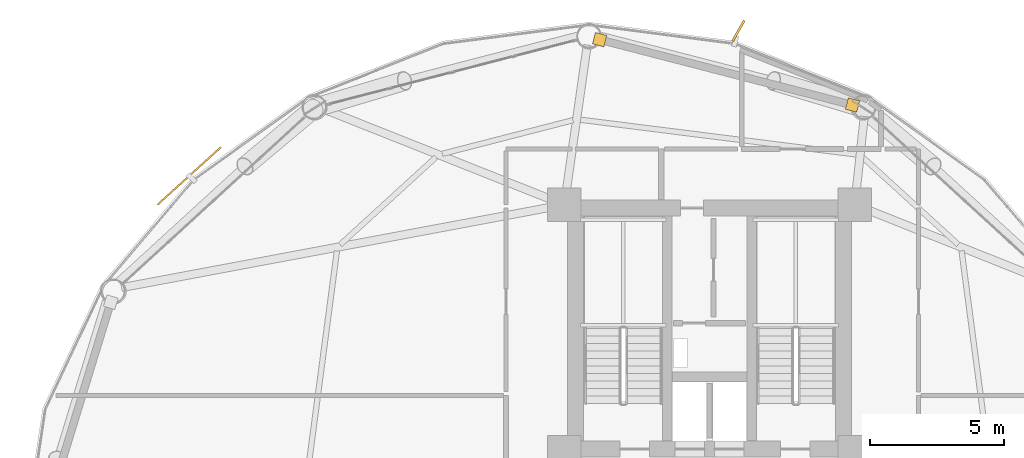
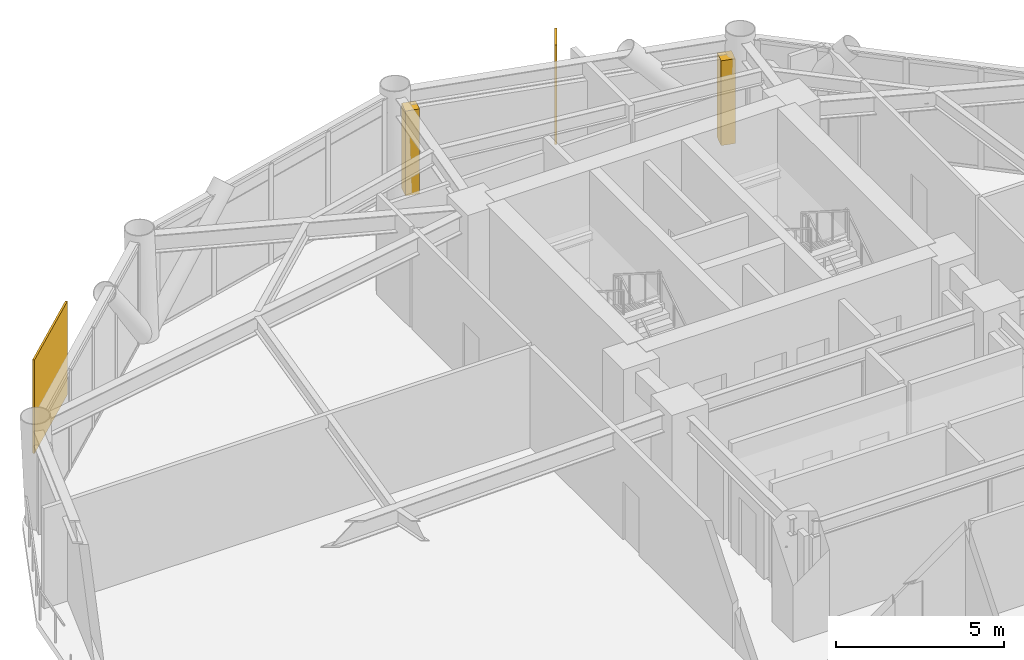
# One storey, part 25 of 25: 2 coverings, 2 shading devices.
"""IFC4 building model written with IfcOpenShell, lengths in metres."""

import ifcopenshell
import ifcopenshell.guid

model = None  # the IFC model being written
_history = None  # IfcOwnerHistory: only IFC2X3 demands one
_inside = {}  # id of a spatial element -> (the spatial element, [elements in it])
_under = {}  # id of a project, library or spatial element -> (it, [spatial elements below it])
_declared = {}  # id of a project -> (the project, [libraries it declares])
_typed = {}  # id of a type object -> (the type object, [elements of that type])
_made_of = {}  # id of a material, layer set ... -> (it, [elements and type objects made of it])


def new_model(schema):
    """Start an empty IFC model of exactly this schema.

    Asked for "IFC4X3", IfcOpenShell would pick the latest addendum, in which some entities
    have other attributes; the version numbers below select the first issue.
    IFC2X3 requires an IfcOwnerHistory on every rooted entity: one is made here for all.
    """
    global model, _history
    if schema == "IFC4X3":
        model = ifcopenshell.file(schema_version=(4, 3, 0, 0))
    else:
        model = ifcopenshell.file(schema=schema)
    _inside.clear()
    _under.clear()
    _declared.clear()
    _typed.clear()
    _made_of.clear()
    _history = None
    if model.schema == "IFC2X3":
        org = make("IfcOrganization", Name="unknown")
        user = make(
            "IfcPersonAndOrganization",
            ThePerson=make("IfcPerson", FamilyName="unknown"),
            TheOrganization=org,
        )
        app = make(
            "IfcApplication",
            ApplicationDeveloper=org,
            Version="unknown",
            ApplicationFullName="unknown",
            ApplicationIdentifier="unknown",
        )
        _history = make(
            "IfcOwnerHistory",
            OwningUser=user,
            OwningApplication=app,
            ChangeAction="ADDED",
            CreationDate=0,
        )
    return model


def make(cls, **values):
    """One entity of the class cls with the attributes given. An attribute that is None is left unset."""
    return model.create_entity(
        cls, **{name: value for name, value in values.items() if value is not None}
    )


def rooted(cls, **values):
    """An entity with a GlobalId (a new one), such as an element, a storey or a relation."""
    return make(cls, GlobalId=ifcopenshell.guid.new(), OwnerHistory=_history, **values)


def si_unit(unit_type, name, prefix=None):
    """IfcSIUnit, for example si_unit("LENGTHUNIT", "METRE", prefix="MILLI")."""
    return make("IfcSIUnit", UnitType=unit_type, Prefix=prefix, Name=name)


def assignment(units):
    """IfcUnitAssignment: the units of a project."""
    return None if units is None else make("IfcUnitAssignment", Units=units)


def point(xyz):
    """IfcCartesianPoint."""
    return None if xyz is None else make("IfcCartesianPoint", Coordinates=xyz)


def direction(xyz):
    """IfcDirection."""
    return None if xyz is None else make("IfcDirection", DirectionRatios=xyz)


def frame(location, z_axis=None, x_axis=None):
    """IfcAxis2Placement3D, a coordinate frame: its origin and axes. An axis left out is left unset."""
    return make(
        "IfcAxis2Placement3D",
        Location=point(location),
        Axis=direction(z_axis),
        RefDirection=direction(x_axis),
    )


def frame_2d(location, x_axis=None):
    """IfcAxis2Placement2D, a coordinate frame in the plane: its origin and x axis."""
    return make(
        "IfcAxis2Placement2D", Location=point(location), RefDirection=direction(x_axis)
    )


def origin():
    """The frame at (0, 0, 0) with its axes left unset."""
    return frame((0.0, 0.0, 0.0))


def origin_2d():
    """The frame at (0, 0) in the plane with its x axis left unset."""
    return frame_2d((0.0, 0.0))


def place(relative_to, where):
    """IfcLocalPlacement: puts the frame where relative to a parent placement (None: the world)."""
    return make(
        "IfcLocalPlacement", PlacementRelTo=relative_to, RelativePlacement=where
    )


def context(
    kind, dimensions, precision=None, world=None, true_north=None, identifier=None
):
    """IfcGeometricRepresentationContext, for example the 3D "Model" context."""
    return make(
        "IfcGeometricRepresentationContext",
        ContextIdentifier=identifier,
        ContextType=kind,
        CoordinateSpaceDimension=dimensions,
        Precision=precision,
        WorldCoordinateSystem=world,
        TrueNorth=true_north,
    )


def subcontext(parent, identifier, kind, view, scale=None):
    """IfcGeometricRepresentationSubContext, for example "Body" below "Model"."""
    return make(
        "IfcGeometricRepresentationSubContext",
        ContextIdentifier=identifier,
        ContextType=kind,
        ParentContext=parent,
        TargetScale=scale,
        TargetView=view,
    )


def project(units=None, contexts=None):
    """IfcProject with its units and contexts."""
    return rooted(
        "IfcProject",
        Name="project",
        RepresentationContexts=contexts,
        UnitsInContext=assignment(units),
    )


def spatial(cls, under=None, at=None, **own):
    """A site, building, storey or space (cls), placed at a placement, below another one or the project."""
    s = rooted(cls, ObjectPlacement=at, **own)
    if under is not None:
        _under.setdefault(under.id(), (under, []))[1].append(s)
    return s


def profile(cls, at=None, kind="AREA", **sizes):
    """A parametric profile (cls). Its sizes go by their IFC names, for example OverallWidth=200.0."""
    return make(cls, ProfileType=kind, Position=at, **sizes)


def rectangle(**sizes):
    """IfcRectangleProfileDef."""
    return profile("IfcRectangleProfileDef", **sizes)


def extrude(swept, where, along, depth):
    """IfcExtrudedAreaSolid: the profile swept, set in the frame where, extruded along a direction by depth."""
    return make(
        "IfcExtrudedAreaSolid",
        SweptArea=swept,
        Position=where,
        ExtrudedDirection=direction(along),
        Depth=depth,
    )


def shape(context_of_items, identifier, shape_type, items):
    """IfcShapeRepresentation: the items that make up one representation, for example the "Body"."""
    return make(
        "IfcShapeRepresentation",
        ContextOfItems=context_of_items,
        RepresentationIdentifier=identifier,
        RepresentationType=shape_type,
        Items=items,
    )


def source(mapping_origin, context_of_items, identifier, shape_type, items):
    """IfcRepresentationMap: a shape defined once, which mapped items show again and again."""
    return make(
        "IfcRepresentationMap",
        MappingOrigin=mapping_origin,
        MappedRepresentation=shape(context_of_items, identifier, shape_type, items),
    )


def transform(
    local_origin,
    x_axis=None,
    y_axis=None,
    z_axis=None,
    scale=None,
    scale2=None,
    scale3=None,
    uniform=True,
):
    """IfcCartesianTransformationOperator3D, or its non-uniform kind. x_axis, y_axis, z_axis: its Axis1, 2, 3."""
    if uniform:
        return make(
            "IfcCartesianTransformationOperator3D",
            Axis1=direction(x_axis),
            Axis2=direction(y_axis),
            LocalOrigin=point(local_origin),
            Scale=scale,
            Axis3=direction(z_axis),
        )
    return make(
        "IfcCartesianTransformationOperator3DnonUniform",
        Axis1=direction(x_axis),
        Axis2=direction(y_axis),
        LocalOrigin=point(local_origin),
        Scale=scale,
        Axis3=direction(z_axis),
        Scale2=scale2,
        Scale3=scale3,
    )


def mapped(mapping_source, mapping_target):
    """IfcMappedItem: shows the shape of a source again, moved by a transform."""
    return make(
        "IfcMappedItem", MappingSource=mapping_source, MappingTarget=mapping_target
    )


def material(Name=None, Category=None):
    """IfcMaterial."""
    return make("IfcMaterial", Name=Name, Category=Category)


def layer(
    of_material, thickness, ventilated=None, Name=None, Category=None, Priority=None
):
    """IfcMaterialLayer: one layer of a wall or slab, of a material (None: an air gap)."""
    return make(
        "IfcMaterialLayer",
        Material=of_material,
        LayerThickness=thickness,
        IsVentilated=ventilated,
        Name=Name,
        Category=Category,
        Priority=Priority,
    )


def layer_set(layers, Name=None):
    """IfcMaterialLayerSet."""
    return make("IfcMaterialLayerSet", MaterialLayers=layers, LayerSetName=Name)


def made_of(thing, what):
    """Note that an element or type object is made of a material, layer set ...; save() writes the relation."""
    if what is not None:
        _made_of.setdefault(what.id(), (what, []))[1].append(thing)
    return thing


def type_object(cls, material=None, **own):
    """A type object (cls), such as IfcWallType, which elements share."""
    return made_of(rooted(cls, **own), material)


def type_shapes(of_type, sources):
    """Give a type object the sources (RepresentationMaps) that its elements show as mapped items."""
    of_type.RepresentationMaps = sources


def element(
    cls,
    number,
    at=None,
    inside=None,
    cuts=None,
    type_object=None,
    material=None,
    context=None,
    identifier="Body",
    shape_type=None,
    held_by="IfcProductDefinitionShape",
    body=None,
    shapes=None,
    **own,
):
    """One element of the class cls, such as IfcWall. Its Tag is "e" and its number.

    at: its placement. inside: the storey or other place that contains it. cuts: it is an
    opening in that element (IfcRelVoidsElement). A single representation is given by context,
    identifier, shape_type and body (its items); several are given by shapes. held_by: the class
    of the entity that holds the representations. save() writes the other relations.
    """
    e = rooted(cls, Tag="e%d" % number, ObjectPlacement=at, **own)
    if body is not None:
        shapes = [shape(context, identifier, shape_type, body)]
    if shapes is not None:
        e.Representation = make(held_by, Representations=shapes)
    if inside is not None:
        _inside.setdefault(inside.id(), (inside, []))[1].append(e)
    if cuts is not None:
        rooted(
            "IfcRelVoidsElement", RelatingBuildingElement=cuts, RelatedOpeningElement=e
        )
    if type_object is not None:
        _typed.setdefault(type_object.id(), (type_object, []))[1].append(e)
    return made_of(e, material)


def aggregate(whole, parts):
    """IfcRelAggregates: a whole, such as a stair, and the parts it consists of."""
    return rooted("IfcRelAggregates", RelatingObject=whole, RelatedObjects=parts)


def save(model, path):
    """Write the relations noted so far, then the file.

    IfcRelAggregates (storeys below a building ...), IfcRelContainedInSpatialStructure (elements
    in a storey), IfcRelDefinesByType, IfcRelAssociatesMaterial and IfcRelDeclares: one each for
    every whole, place, type object, material and project.
    """
    for whole, parts in _under.values():
        aggregate(whole, parts)
    for where, things in _inside.values():
        rooted(
            "IfcRelContainedInSpatialStructure",
            RelatedElements=things,
            RelatingStructure=where,
        )
    for kind, things in _typed.values():
        rooted("IfcRelDefinesByType", RelatedObjects=things, RelatingType=kind)
    for what, things in _made_of.values():
        rooted("IfcRelAssociatesMaterial", RelatedObjects=things, RelatingMaterial=what)
    for by, libraries in _declared.values():
        rooted("IfcRelDeclares", RelatingContext=by, RelatedDefinitions=libraries)
    model.write(path)


model = new_model("IFC4")

# Units and contexts
model_context = context("Model", 3, precision=1e-05, world=origin(), true_north=direction((0.0, 1.0)))
body_context = subcontext(model_context, "Body", "Model", "MODEL_VIEW")
ifc_project = project(units=[si_unit("LENGTHUNIT", "METRE"), si_unit("AREAUNIT", "SQUARE_METRE"), si_unit("VOLUMEUNIT", "CUBIC_METRE"), si_unit("PLANEANGLEUNIT", "RADIAN"), si_unit("MASSUNIT", "GRAM", prefix="KILO")], contexts=[model_context])

# Site, building, storey
site_placement = place(None, origin())
site = spatial("IfcSite", under=ifc_project, at=site_placement, CompositionType="ELEMENT")
building_placement = place(site_placement, origin())
building = spatial("IfcBuilding", under=site, at=building_placement, Name="Varnakorn Sky Granary", CompositionType="ELEMENT")
storey_placement = place(building_placement, frame((0.0, 0.0, 39.300048828125)))
storey = spatial("IfcBuildingStorey", under=building, at=storey_placement, Name="L09", CompositionType="ELEMENT", Elevation=39.300048828125)

# Shading device
ifc_material = material(Name="Anodised Bronze Aluminium Alloy 6063-T6", Category="aluminium")
shading_device_type_1 = type_object("IfcShadingDeviceType", Name="SH-FIN-01", PredefinedType="USERDEFINED", material=ifc_material)
shared_shape_1 = source(origin(), body_context, "Body", "SweptSolid", [
    extrude(rectangle(XDim=0.0849609375, YDim=0.8798828125, at=origin_2d()), origin(), (0.0, 0.0, 1.0), 3.60009765625),
])
type_shapes(shading_device_type_1, [shared_shape_1])
shading_device_1_placement = place(storey_placement, frame((4.07861328125, 19.110595703125, -0.0400390625), z_axis=(0.0, 0.0, 1.0), x_axis=(-0.868108490976, 0.496374503673, 0.0)))
element("IfcShadingDevice", 1, at=shading_device_1_placement, inside=storey, type_object=shading_device_type_1, Name="Bronze Solar-Tracking Vertical Blade FIN L09-03", ObjectType="FIN", PredefinedType="USERDEFINED", context=body_context, shape_type="MappedRepresentation", body=[
    mapped(shared_shape_1, transform((0.0, 0.0, 0.0), x_axis=(1.0, 0.0, 0.0), y_axis=(0.0, 1.0, 0.0), z_axis=(0.0, 0.0, 1.0), scale=1.0)),
])

# Coverings
ifc_layer = layer(ifc_material, 0.050048828125, Name="Anodised Bronze Aluminium Alloy 6063-T6")
ifc_layer_set = layer_set([ifc_layer], Name="Anodised Bronze Aluminium Alloy 6063-T6")
covering_type = type_object("IfcCoveringType", Name="CV-CLAD-50", PredefinedType="CLADDING", material=ifc_layer_set)
shared_shape_2 = source(origin(), body_context, "Body", "SweptSolid", [
    extrude(rectangle(XDim=0.43994140625, YDim=0.43994140625, at=origin_2d()), origin(), (0.0, 0.0, 1.0), 3.080078125),
])
type_shapes(covering_type, [shared_shape_2])
for number, where, z_axis, x_axis, name in (
    (2, (-1.10107421875, 18.77978515625, -0.02001953125), (0.0, 0.0, 1.0), (0.968147640378, -0.250380004054, 0.0), "Bronze Corner Pilaster Closure L09-P03-A"),
    (3, (8.336669921875, 16.33935546875, -0.02001953125), (0.0, 0.0, 1.0), (0.968147640378, -0.250380004054, 0.0), "Bronze Corner Pilaster Closure L09-P03-B"),
):
    element("IfcCovering", number, at=place(storey_placement, frame(where, z_axis=z_axis, x_axis=x_axis)), inside=storey, type_object=covering_type, Name=name, PredefinedType="CLADDING", context=body_context, shape_type="MappedRepresentation", body=[
        mapped(shared_shape_2, transform((0.0, 0.0, 0.0), x_axis=(1.0, 0.0, 0.0), y_axis=(0.0, 1.0, 0.0), z_axis=(0.0, 0.0, 1.0), scale=1.0)),
    ])

# Shading device
shading_device_type_2 = type_object("IfcShadingDeviceType", Name="SH-SCR-01", PredefinedType="USERDEFINED", material=ifc_material)
shared_shape_3 = source(origin(), body_context, "Body", "SweptSolid", [
    extrude(rectangle(XDim=3.199951171875, YDim=0.06494140625, at=origin_2d()), origin(), (0.0, 0.0, 1.0), 3.39990234375),
])
type_shapes(shading_device_type_2, [shared_shape_3])
shading_device_2_placement = place(storey_placement, frame((-16.42431640625, 13.69140625, -0.0400390625), z_axis=(0.0, 0.0, 1.0), x_axis=(-0.740604356948, -0.671941356422, 0.0)))
element("IfcShadingDevice", 4, at=shading_device_2_placement, inside=storey, type_object=shading_device_type_2, Name="Perforated Bronze Solar Screen Panel SCREEN L09-05", ObjectType="SCREEN", PredefinedType="USERDEFINED", context=body_context, shape_type="MappedRepresentation", body=[
    mapped(shared_shape_3, transform((0.0, 0.0, 0.0), x_axis=(1.0, 0.0, 0.0), y_axis=(0.0, 1.0, 0.0), z_axis=(0.0, 0.0, 1.0), scale=1.0)),
])

save(model, "model.ifc")
